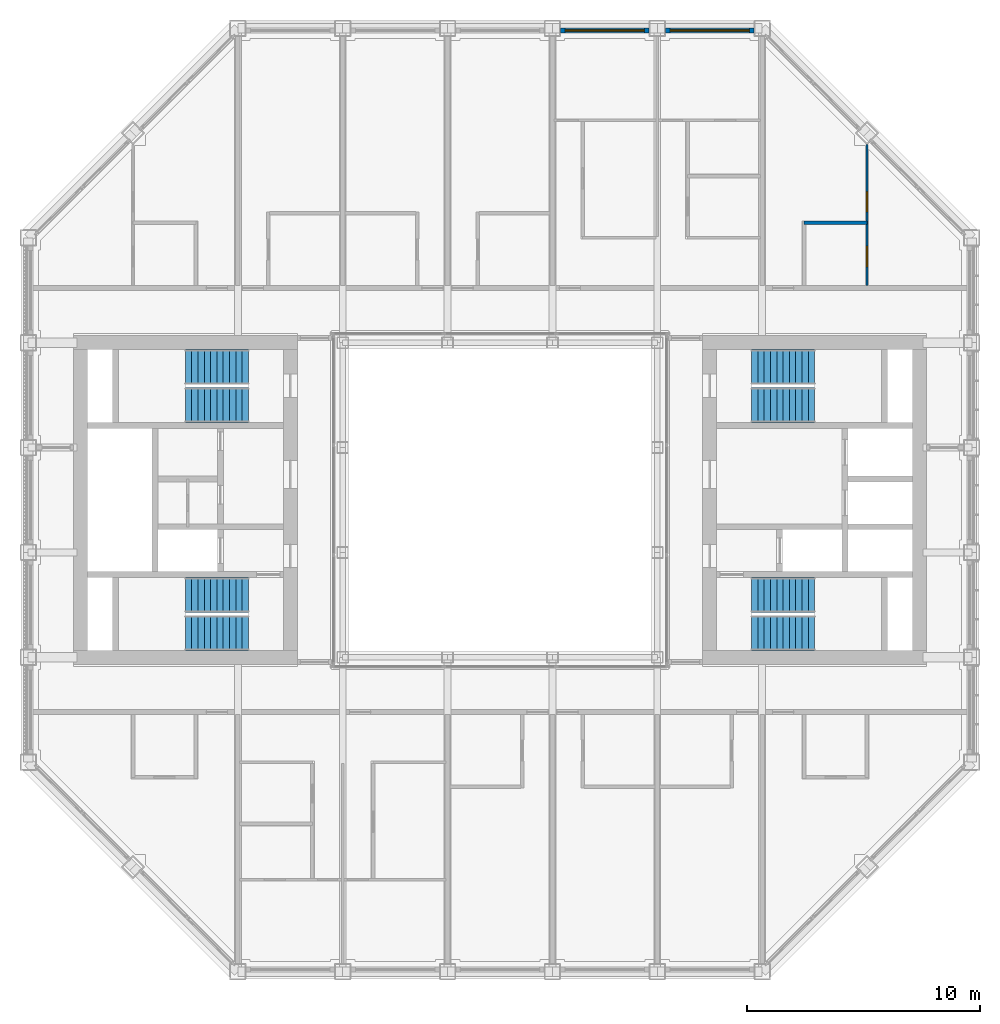
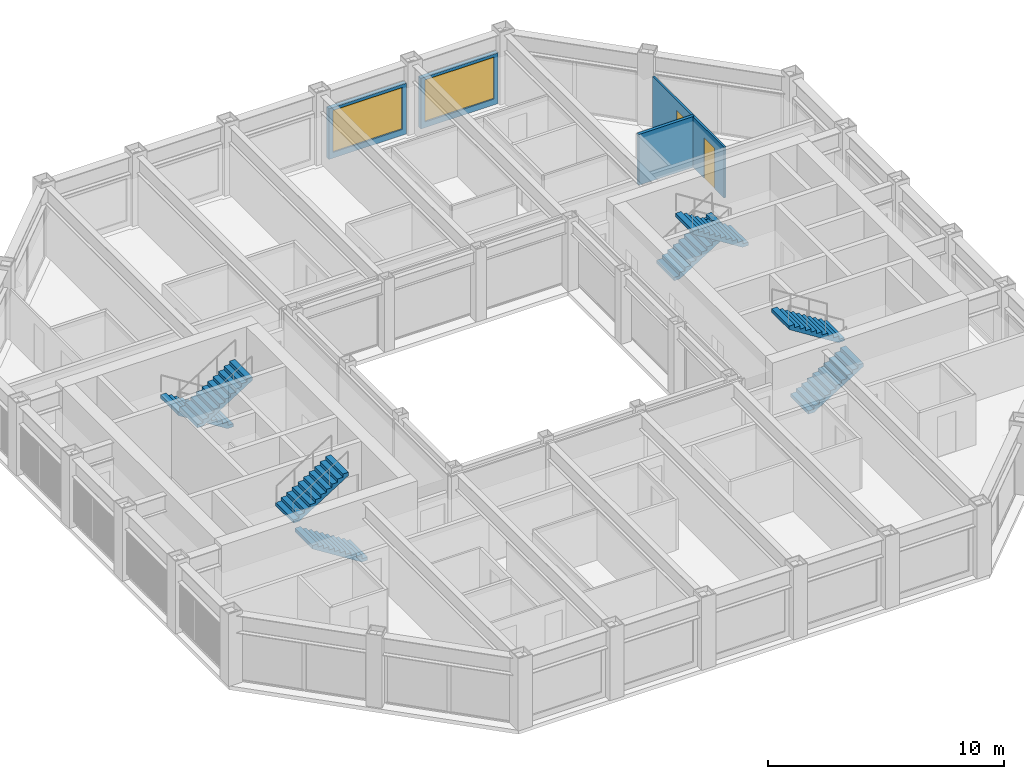
# One storey, part 13 of 18: 8 stair flights, 4 walls, 2 doors, 2 windows, 4 openings, 4 elements without a shape of their own.
"""IFC4 building model written with IfcOpenShell, lengths in metres."""

from ifc_helpers import new_model, si_unit, direction, frame, frame_2d, origin, place, context, subcontext, project, spatial, polyline, rectangle, outline, extrude, material, layer, layer_set, type_object, element, fill, aggregate, save


model = new_model("IFC4")

# Units and contexts
model_context = context("Model", 3, precision=1e-05, world=origin(), true_north=direction((0.0, 1.0)))
body_context = subcontext(model_context, "Body", "Model", "MODEL_VIEW")
ifc_project = project(units=[si_unit("LENGTHUNIT", "METRE"), si_unit("AREAUNIT", "SQUARE_METRE"), si_unit("VOLUMEUNIT", "CUBIC_METRE"), si_unit("PLANEANGLEUNIT", "RADIAN"), si_unit("MASSUNIT", "GRAM", prefix="KILO")], contexts=[model_context])

# Site, building, storey
site_placement = place(None, origin())
site = spatial("IfcSite", under=ifc_project, at=site_placement, CompositionType="ELEMENT")
building_placement = place(site_placement, origin())
building = spatial("IfcBuilding", under=site, at=building_placement, Name="Msasa Ring Tower", CompositionType="ELEMENT")
storey_placement = place(building_placement, frame((0.0, 0.0, 230.800048828125)))
storey = spatial("IfcBuildingStorey", under=building, at=storey_placement, Name="L60", CompositionType="ELEMENT", Elevation=230.800048828125)

# Wall, opening, window
ifc_material_1 = material(Name="Terracotta rainscreen on blockwork", Category="masonry")
ifc_layer_1 = layer(ifc_material_1, 0.199951171875)
ifc_layer_set_1 = layer_set([ifc_layer_1], Name="FW1 TERRACOTTA-LINED INFILL BAY WALL 200")
wall_type_1 = type_object("IfcWallType", Name="FW1 TERRACOTTA-LINED INFILL BAY WALL 200", PredefinedType="SOLIDWALL", material=ifc_layer_set_1)
wall_1_placement = place(storey_placement, frame((2.60498046875, 20.14990234375, 0.0), z_axis=(0.0, 0.0, 1.0), x_axis=(1.0, 0.0, 0.0)))
wall_1 = element("IfcWall", 1, at=wall_1_placement, inside=storey, type_object=wall_type_1, Name="Infill bay wall N L60 17", PredefinedType="SOLIDWALL", context=body_context, shape_type="SweptSolid", body=[
    extrude(rectangle(XDim=3.7900390625, YDim=0.199951171875, at=frame_2d((1.89501953125, 0.0))), origin(), (0.0, 0.0, 1.0), 2.62890625),
])
opening_1_placement = place(wall_1_placement, frame((0.195068359375, 0.0, 0.300048828125)))
opening_1 = element("IfcOpeningElement", 2, at=opening_1_placement, cuts=wall_1, Name="Opening WN3", PredefinedType="OPENING", context=body_context, shape_type="SweptSolid", body=[
    extrude(rectangle(XDim=3.39990234375, YDim=2.178955078125, at=frame_2d((1.699951171875, 1.08935546875))), frame((0.0, 0.10986328125, 0.0), z_axis=(0.0, -1.0, 0.0), x_axis=(1.0, 0.0, 0.0)), (0.0, 0.0, 1.0), 0.219970703125),
])
ifc_material_2 = material(Name="Aluminium frame with clear glass", Category="aluminium")
window_type = type_object("IfcWindowType", Name="WN3 SUITE WINDOW 3400x2179", PartitioningType="SINGLE_PANEL", PredefinedType="WINDOW", material=ifc_material_2)
window_1_placement = place(opening_1_placement, origin())
window_1 = element("IfcWindow", 3, at=window_1_placement, inside=storey, type_object=window_type, Name="Window N L60 17", OverallHeight=2.178955078125, OverallWidth=3.39990234375, PartitioningType="SINGLE_PANEL", PredefinedType="WINDOW", context=body_context, shape_type="SweptSolid", body=[
    extrude(rectangle(XDim=3.39990234375, YDim=2.178955078125, at=frame_2d((1.699951171875, 1.08935546875))), frame((0.0, 0.030029296875, 0.0), z_axis=(0.0, -1.0, 0.0), x_axis=(1.0, 0.0, 0.0)), (0.0, 0.0, 1.0), 0.06005859375),
])
fill(opening_1, window_1)

wall_2_placement = place(storey_placement, frame((7.10498046875, 20.14990234375, 0.0), z_axis=(0.0, 0.0, 1.0), x_axis=(1.0, 0.0, 0.0)))
wall_2 = element("IfcWall", 4, at=wall_2_placement, inside=storey, type_object=wall_type_1, Name="Infill bay wall N L60 18", PredefinedType="SOLIDWALL", context=body_context, shape_type="SweptSolid", body=[
    extrude(rectangle(XDim=3.7900390625, YDim=0.199951171875, at=frame_2d((1.89501953125, 0.0))), origin(), (0.0, 0.0, 1.0), 2.62890625),
])
opening_2_placement = place(wall_2_placement, frame((0.195068359375, 0.0, 0.300048828125)))
opening_2 = element("IfcOpeningElement", 5, at=opening_2_placement, cuts=wall_2, Name="Opening WN3", PredefinedType="OPENING", context=body_context, shape_type="SweptSolid", body=[
    extrude(rectangle(XDim=3.39990234375, YDim=2.178955078125, at=frame_2d((1.699951171875, 1.08935546875))), frame((0.0, 0.10986328125, 0.0), z_axis=(0.0, -1.0, 0.0), x_axis=(1.0, 0.0, 0.0)), (0.0, 0.0, 1.0), 0.219970703125),
])
window_2_placement = place(opening_2_placement, origin())
window_2 = element("IfcWindow", 6, at=window_2_placement, inside=storey, type_object=window_type, Name="Window N L60 18", OverallHeight=2.178955078125, OverallWidth=3.39990234375, PartitioningType="SINGLE_PANEL", PredefinedType="WINDOW", context=body_context, shape_type="SweptSolid", body=[
    extrude(rectangle(XDim=3.39990234375, YDim=2.178955078125, at=frame_2d((1.699951171875, 1.08935546875))), frame((0.0, 0.030029296875, 0.0), z_axis=(0.0, -1.0, 0.0), x_axis=(1.0, 0.0, 0.0)), (0.0, 0.0, 1.0), 0.06005859375),
])
fill(opening_2, window_2)

# Wall, openings, doors
ifc_material_3 = material(Name="Gypsum board on steel studs", Category="steel")
ifc_layer_2 = layer(ifc_material_3, 0.10009765625)
ifc_layer_set_2 = layer_set([ifc_layer_2], Name="PT2 STUD PARTITION 100")
wall_type_2 = type_object("IfcWallType", Name="PT2 STUD PARTITION 100", PredefinedType="PARTITIONING", material=ifc_layer_set_2)
wall_3_placement = place(storey_placement, frame((15.75, 9.199951171875, 0.0), z_axis=(0.0, 0.0, 1.0), x_axis=(0.0, 1.0, 0.0)))
wall_3 = element("IfcWall", 7, at=wall_3_placement, inside=storey, type_object=wall_type_2, Name="Partition L60-CSNEP1", PredefinedType="PARTITIONING", context=body_context, shape_type="SweptSolid", body=[
    extrude(rectangle(XDim=6.054931640625, YDim=0.10009765625, at=frame_2d((3.02734375, 0.0))), origin(), (0.0, 0.0, 1.0), 2.62890625),
])
opening_3_placement = place(wall_3_placement, frame((3.175048828125, 0.0, 0.0)))
opening_3 = element("IfcOpeningElement", 8, at=opening_3_placement, cuts=wall_3, Name="Opening SC-006", PredefinedType="OPENING", context=body_context, shape_type="SweptSolid", body=[
    extrude(rectangle(XDim=0.85009765625, YDim=2.10009765625, at=frame_2d((0.425048828125, 1.050048828125))), frame((0.0, 0.06005859375, 0.0), z_axis=(0.0, -1.0, 0.0), x_axis=(1.0, 0.0, 0.0)), (0.0, 0.0, 1.0), 0.1201171875),
])
opening_4_placement = place(wall_3_placement, frame((0.800048828125, 0.0, 0.0)))
opening_4 = element("IfcOpeningElement", 9, at=opening_4_placement, cuts=wall_3, Name="Opening SC-012", PredefinedType="OPENING", context=body_context, shape_type="SweptSolid", body=[
    extrude(rectangle(XDim=0.89990234375, YDim=2.10009765625, at=frame_2d((0.449951171875, 1.050048828125))), frame((0.0, 0.06005859375, 0.0), z_axis=(0.0, -1.0, 0.0), x_axis=(1.0, 0.0, 0.0)), (0.0, 0.0, 1.0), 0.1201171875),
])
ifc_material_4 = material(Name="Timber door leaf in a steel frame", Category="steel")
door_type_1 = type_object("IfcDoorType", Name="D14 BEDROOM DOOR 850x2100", OperationType="SINGLE_SWING_LEFT", PredefinedType="DOOR", material=ifc_material_4)
door_1_placement = place(opening_3_placement, origin())
door_1 = element("IfcDoor", 10, at=door_1_placement, inside=storey, type_object=door_type_1, Name="Door L60-CSNER1", OperationType="SINGLE_SWING_RIGHT", OverallHeight=2.10009765625, OverallWidth=0.85009765625, PredefinedType="DOOR", context=body_context, shape_type="SweptSolid", body=[
    extrude(rectangle(XDim=0.85009765625, YDim=2.10009765625, at=frame_2d((0.425048828125, 1.050048828125))), frame((0.0, 0.02490234375, 0.0), z_axis=(0.0, -1.0, 0.0), x_axis=(1.0, 0.0, 0.0)), (0.0, 0.0, 1.0), 0.050048828125),
])
fill(opening_3, door_1)
ifc_material_5 = material(Name="Timber door leaf in a steel frame", Category="steel")
door_type_2 = type_object("IfcDoorType", Name="D3 BATHROOM DOOR 900x2100", OperationType="SINGLE_SWING_LEFT", PredefinedType="DOOR", material=ifc_material_5)
door_2_placement = place(opening_4_placement, origin())
door_2 = element("IfcDoor", 11, at=door_2_placement, inside=storey, type_object=door_type_2, Name="Door L60-CSNEB1", OperationType="SINGLE_SWING_LEFT", OverallHeight=2.10009765625, OverallWidth=0.89990234375, PredefinedType="DOOR", context=body_context, shape_type="SweptSolid", body=[
    extrude(rectangle(XDim=0.89990234375, YDim=2.10009765625, at=frame_2d((0.449951171875, 1.050048828125))), frame((0.0, 0.02490234375, 0.0), z_axis=(0.0, -1.0, 0.0), x_axis=(1.0, 0.0, 0.0)), (0.0, 0.0, 1.0), 0.050048828125),
])
fill(opening_4, door_2)

# Wall
ifc_material_6 = material(Name="Moisture-resistant board on steel studs with a concealed cistern and pipe void, tiled", Category="steel")
ifc_layer_3 = layer(ifc_material_6, 0.14990234375)
ifc_layer_set_3 = layer_set([ifc_layer_3], Name="PT4 BATHROOM WET WALL 150")
wall_type_3 = type_object("IfcWallType", Name="PT4 BATHROOM WET WALL 150", PredefinedType="PARTITIONING", material=ifc_layer_set_3)
wall_4_placement = place(storey_placement, frame((13.050048828125, 11.89990234375, 0.0), z_axis=(0.0, 0.0, 1.0), x_axis=(1.0, 0.0, 0.0)))
element("IfcWall", 12, at=wall_4_placement, inside=storey, type_object=wall_type_3, Name="Partition L60-CSNEBY", PredefinedType="PARTITIONING", context=body_context, shape_type="SweptSolid", body=[
    extrude(rectangle(XDim=2.699951171875, YDim=0.14990234375, at=frame_2d((1.35009765625, 0.0))), origin(), (0.0, 0.0, 1.0), 2.62890625),
])

# Stair, stair flights
ifc_material_7 = material(Name="Concrete C40/50", Category="concrete")
stair_type = type_object("IfcStairType", Name="STC CORE STAIR 22 RISERS 170.5", PredefinedType="HALF_TURN_STAIR", material=ifc_material_7)
stair_1_placement = place(storey_placement, origin())
stair_1 = element("IfcStair", 13, at=stair_1_placement, inside=storey, type_object=stair_type, Name="Core stair SEA L60", PredefinedType="HALF_TURN_STAIR")
ifc_material_8 = material(Name="Concrete C40/50", Category="concrete")
stair_flight_type = type_object("IfcStairFlightType", Name="ST11 CORE STAIR FLIGHT 1500 11 RISERS 170.5", PredefinedType="STRAIGHT", material=ifc_material_8)
stair_flight_1_placement = place(storey_placement, frame((10.800048828125, -5.699951171875, 0.0), z_axis=(0.0, 0.0, 1.0), x_axis=(1.0, 0.0, 0.0)))
stair_flight_1 = element("IfcStairFlight", 14, at=stair_flight_1_placement, type_object=stair_flight_type, Name="SEA flight 1", NumberOfRisers=11, NumberOfTreads=10, PredefinedType="STRAIGHT", RiserHeight=0.170454545, TreadLength=0.27, context=body_context, shape_type="SweptSolid", body=[
    extrude(outline(polyline([(0.0, 0.0), (0.0, 0.17041015625), (0.27001953125, 0.17041015625), (0.27001953125, 0.3408203125), (0.5400390625, 0.3408203125), (0.5400390625, 0.511474609375), (0.81005859375, 0.511474609375), (0.81005859375, 0.681884765625), (1.080078125, 0.681884765625), (1.080078125, 0.852294921875), (1.35009765625, 0.852294921875), (1.35009765625, 1.022705078125), (1.6201171875, 1.022705078125), (1.6201171875, 1.193115234375), (1.889892578125, 1.193115234375), (1.889892578125, 1.363525390625), (2.159912109375, 1.363525390625), (2.159912109375, 1.5341796875), (2.429931640625, 1.5341796875), (2.429931640625, 1.70458984375), (2.699951171875, 1.70458984375), (2.699951171875, 1.875), (2.699951171875, 1.52734375), (0.28076171875, 0.0), (0.0, 0.0)])), frame((0.0, 0.75, 0.0), z_axis=(0.0, -1.0, 0.0), x_axis=(1.0, 0.0, 0.0)), (0.0, 0.0, 1.0), 1.5),
])
stair_flight_2_placement = place(storey_placement, frame((13.5, -4.074951171875, 1.875), z_axis=(0.0, 0.0, 1.0), x_axis=(-1.0, 0.0, 0.0)))
stair_flight_2 = element("IfcStairFlight", 15, at=stair_flight_2_placement, type_object=stair_flight_type, Name="SEA flight 2", NumberOfRisers=11, NumberOfTreads=10, PredefinedType="STRAIGHT", RiserHeight=0.170454545, TreadLength=0.27, context=body_context, shape_type="SweptSolid", body=[
    extrude(outline(polyline([(0.0, 0.0), (0.0, 0.17041015625), (0.27001953125, 0.17041015625), (0.27001953125, 0.3408203125), (0.5400390625, 0.3408203125), (0.5400390625, 0.511474609375), (0.81005859375, 0.511474609375), (0.81005859375, 0.681884765625), (1.080078125, 0.681884765625), (1.080078125, 0.852294921875), (1.35009765625, 0.852294921875), (1.35009765625, 1.022705078125), (1.6201171875, 1.022705078125), (1.6201171875, 1.193115234375), (1.889892578125, 1.193115234375), (1.889892578125, 1.363525390625), (2.159912109375, 1.363525390625), (2.159912109375, 1.5341796875), (2.429931640625, 1.5341796875), (2.429931640625, 1.70458984375), (2.699951171875, 1.70458984375), (2.699951171875, 1.875), (2.699951171875, 1.52734375), (0.28076171875, 0.0), (0.0, 0.0)])), frame((0.0, 0.75, 0.0), z_axis=(0.0, -1.0, 0.0), x_axis=(1.0, 0.0, 0.0)), (0.0, 0.0, 1.0), 1.5),
])
aggregate(stair_1, [stair_flight_1, stair_flight_2])

stair_2_placement = place(storey_placement, origin())
stair_2 = element("IfcStair", 16, at=stair_2_placement, inside=storey, type_object=stair_type, Name="Core stair SEB L60", PredefinedType="HALF_TURN_STAIR")
stair_flight_3_placement = place(storey_placement, frame((10.800048828125, 5.699951171875, 0.0), z_axis=(0.0, 0.0, 1.0), x_axis=(1.0, 0.0, 0.0)))
stair_flight_3 = element("IfcStairFlight", 17, at=stair_flight_3_placement, type_object=stair_flight_type, Name="SEB flight 1", NumberOfRisers=11, NumberOfTreads=10, PredefinedType="STRAIGHT", RiserHeight=0.170454545, TreadLength=0.27, context=body_context, shape_type="SweptSolid", body=[
    extrude(outline(polyline([(0.0, 0.0), (0.0, 0.17041015625), (0.27001953125, 0.17041015625), (0.27001953125, 0.3408203125), (0.5400390625, 0.3408203125), (0.5400390625, 0.511474609375), (0.81005859375, 0.511474609375), (0.81005859375, 0.681884765625), (1.080078125, 0.681884765625), (1.080078125, 0.852294921875), (1.35009765625, 0.852294921875), (1.35009765625, 1.022705078125), (1.6201171875, 1.022705078125), (1.6201171875, 1.193115234375), (1.889892578125, 1.193115234375), (1.889892578125, 1.363525390625), (2.159912109375, 1.363525390625), (2.159912109375, 1.5341796875), (2.429931640625, 1.5341796875), (2.429931640625, 1.70458984375), (2.699951171875, 1.70458984375), (2.699951171875, 1.875), (2.699951171875, 1.52734375), (0.28076171875, 0.0), (0.0, 0.0)])), frame((0.0, 0.75, 0.0), z_axis=(0.0, -1.0, 0.0), x_axis=(1.0, 0.0, 0.0)), (0.0, 0.0, 1.0), 1.5),
])
stair_flight_4_placement = place(storey_placement, frame((13.5, 4.074951171875, 1.875), z_axis=(0.0, 0.0, 1.0), x_axis=(-1.0, 0.0, 0.0)))
stair_flight_4 = element("IfcStairFlight", 18, at=stair_flight_4_placement, type_object=stair_flight_type, Name="SEB flight 2", NumberOfRisers=11, NumberOfTreads=10, PredefinedType="STRAIGHT", RiserHeight=0.170454545, TreadLength=0.27, context=body_context, shape_type="SweptSolid", body=[
    extrude(outline(polyline([(0.0, 0.0), (0.0, 0.17041015625), (0.27001953125, 0.17041015625), (0.27001953125, 0.3408203125), (0.5400390625, 0.3408203125), (0.5400390625, 0.511474609375), (0.81005859375, 0.511474609375), (0.81005859375, 0.681884765625), (1.080078125, 0.681884765625), (1.080078125, 0.852294921875), (1.35009765625, 0.852294921875), (1.35009765625, 1.022705078125), (1.6201171875, 1.022705078125), (1.6201171875, 1.193115234375), (1.889892578125, 1.193115234375), (1.889892578125, 1.363525390625), (2.159912109375, 1.363525390625), (2.159912109375, 1.5341796875), (2.429931640625, 1.5341796875), (2.429931640625, 1.70458984375), (2.699951171875, 1.70458984375), (2.699951171875, 1.875), (2.699951171875, 1.52734375), (0.28076171875, 0.0), (0.0, 0.0)])), frame((0.0, 0.75, 0.0), z_axis=(0.0, -1.0, 0.0), x_axis=(1.0, 0.0, 0.0)), (0.0, 0.0, 1.0), 1.5),
])
aggregate(stair_2, [stair_flight_3, stair_flight_4])

stair_3_placement = place(storey_placement, origin())
stair_3 = element("IfcStair", 19, at=stair_3_placement, inside=storey, type_object=stair_type, Name="Core stair SWA L60", PredefinedType="HALF_TURN_STAIR")
stair_flight_5_placement = place(storey_placement, frame((-10.800048828125, -5.699951171875, 0.0), z_axis=(0.0, 0.0, 1.0), x_axis=(-1.0, 0.0, 0.0)))
stair_flight_5 = element("IfcStairFlight", 20, at=stair_flight_5_placement, type_object=stair_flight_type, Name="SWA flight 1", NumberOfRisers=11, NumberOfTreads=10, PredefinedType="STRAIGHT", RiserHeight=0.170454545, TreadLength=0.27, context=body_context, shape_type="SweptSolid", body=[
    extrude(outline(polyline([(0.0, 0.0), (0.0, 0.17041015625), (0.27001953125, 0.17041015625), (0.27001953125, 0.3408203125), (0.5400390625, 0.3408203125), (0.5400390625, 0.511474609375), (0.81005859375, 0.511474609375), (0.81005859375, 0.681884765625), (1.080078125, 0.681884765625), (1.080078125, 0.852294921875), (1.35009765625, 0.852294921875), (1.35009765625, 1.022705078125), (1.6201171875, 1.022705078125), (1.6201171875, 1.193115234375), (1.889892578125, 1.193115234375), (1.889892578125, 1.363525390625), (2.159912109375, 1.363525390625), (2.159912109375, 1.5341796875), (2.429931640625, 1.5341796875), (2.429931640625, 1.70458984375), (2.699951171875, 1.70458984375), (2.699951171875, 1.875), (2.699951171875, 1.52734375), (0.28076171875, 0.0), (0.0, 0.0)])), frame((0.0, 0.75, 0.0), z_axis=(0.0, -1.0, 0.0), x_axis=(1.0, 0.0, 0.0)), (0.0, 0.0, 1.0), 1.5),
])
stair_flight_6_placement = place(storey_placement, frame((-13.5, -4.074951171875, 1.875), z_axis=(0.0, 0.0, 1.0), x_axis=(1.0, 0.0, 0.0)))
stair_flight_6 = element("IfcStairFlight", 21, at=stair_flight_6_placement, type_object=stair_flight_type, Name="SWA flight 2", NumberOfRisers=11, NumberOfTreads=10, PredefinedType="STRAIGHT", RiserHeight=0.170454545, TreadLength=0.27, context=body_context, shape_type="SweptSolid", body=[
    extrude(outline(polyline([(0.0, 0.0), (0.0, 0.17041015625), (0.27001953125, 0.17041015625), (0.27001953125, 0.3408203125), (0.5400390625, 0.3408203125), (0.5400390625, 0.511474609375), (0.81005859375, 0.511474609375), (0.81005859375, 0.681884765625), (1.080078125, 0.681884765625), (1.080078125, 0.852294921875), (1.35009765625, 0.852294921875), (1.35009765625, 1.022705078125), (1.6201171875, 1.022705078125), (1.6201171875, 1.193115234375), (1.889892578125, 1.193115234375), (1.889892578125, 1.363525390625), (2.159912109375, 1.363525390625), (2.159912109375, 1.5341796875), (2.429931640625, 1.5341796875), (2.429931640625, 1.70458984375), (2.699951171875, 1.70458984375), (2.699951171875, 1.875), (2.699951171875, 1.52734375), (0.28076171875, 0.0), (0.0, 0.0)])), frame((0.0, 0.75, 0.0), z_axis=(0.0, -1.0, 0.0), x_axis=(1.0, 0.0, 0.0)), (0.0, 0.0, 1.0), 1.5),
])
aggregate(stair_3, [stair_flight_5, stair_flight_6])

stair_4_placement = place(storey_placement, origin())
stair_4 = element("IfcStair", 22, at=stair_4_placement, inside=storey, type_object=stair_type, Name="Core stair SWB L60", PredefinedType="HALF_TURN_STAIR")
stair_flight_7_placement = place(storey_placement, frame((-10.800048828125, 5.699951171875, 0.0), z_axis=(0.0, 0.0, 1.0), x_axis=(-1.0, 0.0, 0.0)))
stair_flight_7 = element("IfcStairFlight", 23, at=stair_flight_7_placement, type_object=stair_flight_type, Name="SWB flight 1", NumberOfRisers=11, NumberOfTreads=10, PredefinedType="STRAIGHT", RiserHeight=0.170454545, TreadLength=0.27, context=body_context, shape_type="SweptSolid", body=[
    extrude(outline(polyline([(0.0, 0.0), (0.0, 0.17041015625), (0.27001953125, 0.17041015625), (0.27001953125, 0.3408203125), (0.5400390625, 0.3408203125), (0.5400390625, 0.511474609375), (0.81005859375, 0.511474609375), (0.81005859375, 0.681884765625), (1.080078125, 0.681884765625), (1.080078125, 0.852294921875), (1.35009765625, 0.852294921875), (1.35009765625, 1.022705078125), (1.6201171875, 1.022705078125), (1.6201171875, 1.193115234375), (1.889892578125, 1.193115234375), (1.889892578125, 1.363525390625), (2.159912109375, 1.363525390625), (2.159912109375, 1.5341796875), (2.429931640625, 1.5341796875), (2.429931640625, 1.70458984375), (2.699951171875, 1.70458984375), (2.699951171875, 1.875), (2.699951171875, 1.52734375), (0.28076171875, 0.0), (0.0, 0.0)])), frame((0.0, 0.75, 0.0), z_axis=(0.0, -1.0, 0.0), x_axis=(1.0, 0.0, 0.0)), (0.0, 0.0, 1.0), 1.5),
])
stair_flight_8_placement = place(storey_placement, frame((-13.5, 4.074951171875, 1.875), z_axis=(0.0, 0.0, 1.0), x_axis=(1.0, 0.0, 0.0)))
stair_flight_8 = element("IfcStairFlight", 24, at=stair_flight_8_placement, type_object=stair_flight_type, Name="SWB flight 2", NumberOfRisers=11, NumberOfTreads=10, PredefinedType="STRAIGHT", RiserHeight=0.170454545, TreadLength=0.27, context=body_context, shape_type="SweptSolid", body=[
    extrude(outline(polyline([(0.0, 0.0), (0.0, 0.17041015625), (0.27001953125, 0.17041015625), (0.27001953125, 0.3408203125), (0.5400390625, 0.3408203125), (0.5400390625, 0.511474609375), (0.81005859375, 0.511474609375), (0.81005859375, 0.681884765625), (1.080078125, 0.681884765625), (1.080078125, 0.852294921875), (1.35009765625, 0.852294921875), (1.35009765625, 1.022705078125), (1.6201171875, 1.022705078125), (1.6201171875, 1.193115234375), (1.889892578125, 1.193115234375), (1.889892578125, 1.363525390625), (2.159912109375, 1.363525390625), (2.159912109375, 1.5341796875), (2.429931640625, 1.5341796875), (2.429931640625, 1.70458984375), (2.699951171875, 1.70458984375), (2.699951171875, 1.875), (2.699951171875, 1.52734375), (0.28076171875, 0.0), (0.0, 0.0)])), frame((0.0, 0.75, 0.0), z_axis=(0.0, -1.0, 0.0), x_axis=(1.0, 0.0, 0.0)), (0.0, 0.0, 1.0), 1.5),
])
aggregate(stair_4, [stair_flight_7, stair_flight_8])

save(model, "model.ifc")
